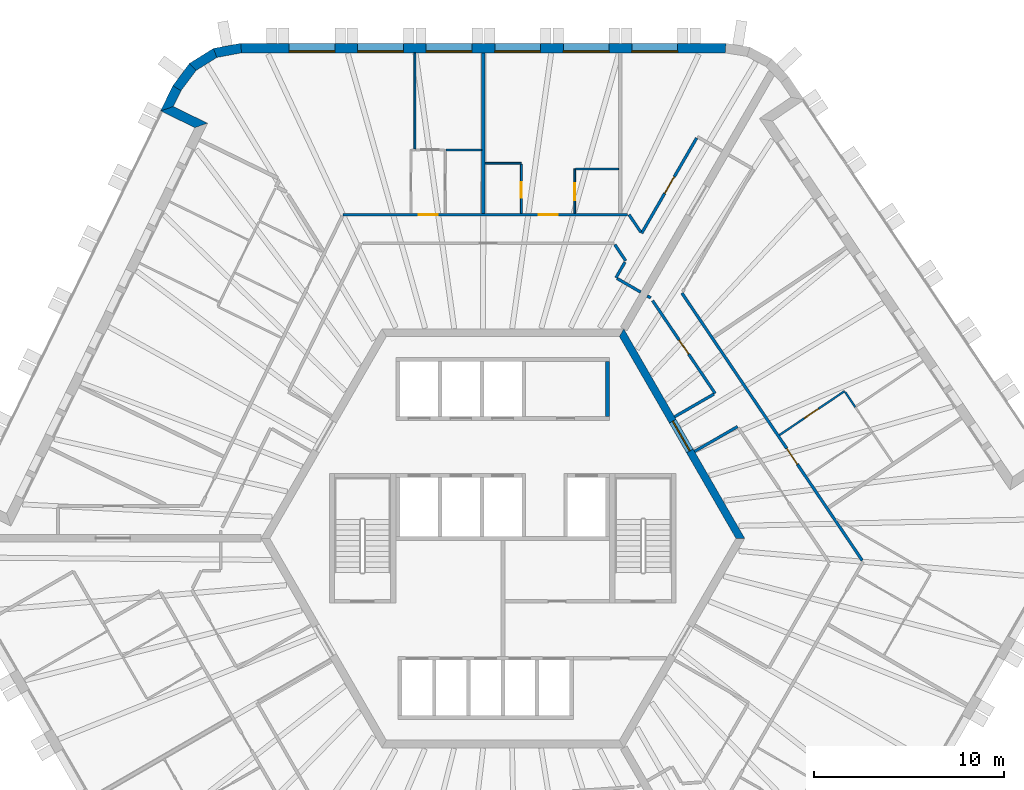
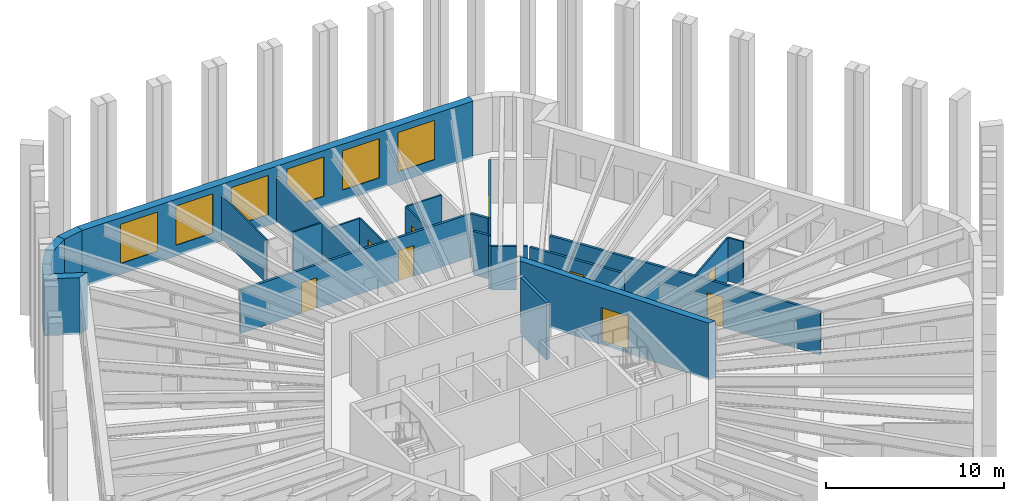
# One storey, part 9 of 12: 28 walls, 9 doors, 6 windows, 15 openings.
"""IFC4 building model written with IfcOpenShell, lengths in metres."""

from ifc_helpers import new_model, si_unit, direction, frame, frame_2d, origin, place, context, subcontext, project, spatial, polyline, rectangle, outline, extrude, material, layer, layer_set, type_object, element, fill, save


model = new_model("IFC4")

# Units and contexts
model_context = context("Model", 3, precision=1e-05, world=origin(), true_north=direction((0.0, 1.0)))
body_context = subcontext(model_context, "Body", "Model", "MODEL_VIEW")
ifc_project = project(units=[si_unit("LENGTHUNIT", "METRE"), si_unit("AREAUNIT", "SQUARE_METRE"), si_unit("VOLUMEUNIT", "CUBIC_METRE"), si_unit("PLANEANGLEUNIT", "RADIAN"), si_unit("MASSUNIT", "GRAM", prefix="KILO")], contexts=[model_context])

# Site, building, storey
site_placement = place(None, origin())
site = spatial("IfcSite", under=ifc_project, at=site_placement, CompositionType="ELEMENT")
building_placement = place(site_placement, origin())
building = spatial("IfcBuilding", under=site, at=building_placement, Name="Tarnside Tower", CompositionType="ELEMENT")
storey_placement = place(building_placement, frame((0.0, 0.0, 291.300048828125)))
storey = spatial("IfcBuildingStorey", under=building, at=storey_placement, Name="L70", CompositionType="ELEMENT", Elevation=291.300048828125)

# Wall
ifc_material_1 = material(Name="Gypsum board partition on steel studs", Category="steel")
ifc_layer_1 = layer(ifc_material_1, 0.10009765625)
ifc_layer_set_1 = layer_set([ifc_layer_1], Name="Bathroom wall 100")
wall_type_1 = type_object("IfcWallType", Name="Bathroom wall 100", PredefinedType="PARTITIONING", material=ifc_layer_set_1)
wall_1_placement = place(storey_placement, frame((-0.934814453125, 19.699951171875, 0.0), z_axis=(0.0, 0.0, 1.0), x_axis=(1.0, 0.0, 0.0)))
element("IfcWall", 1, at=wall_1_placement, inside=storey, type_object=wall_type_1, Name="Bathroom wall 23083", PredefinedType="PARTITIONING", context=body_context, shape_type="SweptSolid", body=[
    extrude(rectangle(XDim=1.909912109375, YDim=0.10009765625, at=frame_2d((0.955078125, 0.0))), origin(), (0.0, 0.0, 1.0), 2.98779296875),
])

# Wall, opening, door
wall_2_placement = place(storey_placement, frame((0.97509765625, 19.64990234375, 0.0), z_axis=(0.0, 0.0, 1.0), x_axis=(0.0, -1.0, 0.0)))
wall_2 = element("IfcWall", 2, at=wall_2_placement, inside=storey, type_object=wall_type_1, Name="Bathroom wall 23084", PredefinedType="PARTITIONING", context=body_context, shape_type="SweptSolid", body=[
    extrude(rectangle(XDim=2.574951171875, YDim=0.10009765625, at=frame_2d((1.28759765625, 0.0))), origin(), (0.0, 0.0, 1.0), 2.98779296875),
])
opening_1_placement = place(wall_2_placement, frame((0.949951171875, 0.0, 0.0)))
opening_1 = element("IfcOpeningElement", 3, at=opening_1_placement, cuts=wall_2, Name="Opening D-B1", PredefinedType="OPENING", context=body_context, shape_type="SweptSolid", body=[
    extrude(rectangle(XDim=0.800048828125, YDim=2.10009765625, at=frame_2d((0.39990234375, 1.050048828125))), frame((0.0, 0.06005859375, 0.0), z_axis=(0.0, -1.0, 0.0), x_axis=(1.0, 0.0, 0.0)), (0.0, 0.0, 1.0), 0.1201171875),
])
ifc_material_2 = material(Name="Timber door leaf", Category="wood")
door_type_1 = type_object("IfcDoorType", Name="Bathroom door 800", OperationType="NOTDEFINED", PredefinedType="DOOR", material=ifc_material_2)
door_1_placement = place(opening_1_placement, origin())
door_1 = element("IfcDoor", 4, at=door_1_placement, inside=storey, type_object=door_type_1, Name="Bathroom door 23003", OperationType="SINGLE_SWING_LEFT", OverallHeight=2.10009765625, OverallWidth=0.800048828125, PredefinedType="DOOR", context=body_context, shape_type="SweptSolid", body=[
    extrude(rectangle(XDim=0.800048828125, YDim=2.10009765625, at=frame_2d((0.39990234375, 1.050048828125))), frame((0.0, 0.02490234375, 0.0), z_axis=(0.0, -1.0, 0.0), x_axis=(1.0, 0.0, 0.0)), (0.0, 0.0, 1.0), 0.050048828125),
])
fill(opening_1, door_1)

# Wall
wall_3_placement = place(storey_placement, frame((-1.11474609375, 20.39990234375, 0.0), z_axis=(0.0, 0.0, 1.0), x_axis=(-1.0, 0.0, 0.0)))
element("IfcWall", 5, at=wall_3_placement, inside=storey, type_object=wall_type_1, Name="Bathroom wall 23099", PredefinedType="PARTITIONING", context=body_context, shape_type="SweptSolid", body=[
    extrude(rectangle(XDim=1.862060546875, YDim=0.10009765625, at=frame_2d((0.93115234375, 0.0))), origin(), (0.0, 0.0, 1.0), 2.98779296875),
])

# Wall, opening, door
ifc_material_3 = material(Name="Concrete C60/75", Category="concrete")
ifc_layer_2 = layer(ifc_material_3, 0.39990234375)
ifc_layer_set_2 = layer_set([ifc_layer_2], Name="Core wall Z3 400 C60/75")
wall_type_2 = type_object("IfcWallType", Name="Core wall Z3 400 C60/75", PredefinedType="SHEAR", material=ifc_layer_set_2)
wall_4_placement = place(storey_placement, frame((12.470703125, 0.0, -0.150146484375), z_axis=(0.0, 0.0, 1.0), x_axis=(-0.499996419489, 0.866027470984, 0.0)))
wall_4 = element("IfcWall", 6, at=wall_4_placement, inside=storey, type_object=wall_type_2, Name="L70 core wall face 6", PredefinedType="SHEAR", context=body_context, shape_type="SweptSolid", body=[
    extrude(outline(polyline([(-0.115478515625, -0.199951171875), (12.586181640625, -0.199951171875), (12.355224609375, 0.199951171875), (0.115478515625, 0.199951171875), (-0.115478515625, -0.199951171875)])), origin(), (0.0, 0.0, 1.0), 3.900146484375),
])
opening_2_placement = place(wall_4_placement, frame((5.306396484375, 0.0, 0.14990234375)))
opening_2 = element("IfcOpeningElement", 7, at=opening_2_placement, cuts=wall_4, Name="Opening CD-LOB", PredefinedType="OPENING", context=body_context, shape_type="SweptSolid", body=[
    extrude(rectangle(XDim=1.800048828125, YDim=2.39990234375, at=frame_2d((0.89990234375, 1.199951171875))), frame((0.0, 0.2099609375, 0.0), z_axis=(0.0, -1.0, 0.0), x_axis=(1.0, 0.0, 0.0)), (0.0, 0.0, 1.0), 0.419921875),
])
ifc_material_4 = material(Name="Steel fire door", Category="steel")
door_type_2 = type_object("IfcDoorType", Name="Lobby double door FD30S 1800x2400", OperationType="NOTDEFINED", PredefinedType="DOOR", material=ifc_material_4)
door_2_placement = place(opening_2_placement, origin())
door_2 = element("IfcDoor", 8, at=door_2_placement, inside=storey, type_object=door_type_2, Name="L70 core door P2", OperationType="DOUBLE_DOOR_SINGLE_SWING", OverallHeight=2.39990234375, OverallWidth=1.800048828125, PredefinedType="DOOR", context=body_context, shape_type="SweptSolid", body=[
    extrude(rectangle(XDim=1.800048828125, YDim=2.39990234375, at=frame_2d((0.89990234375, 1.199951171875))), frame((0.0, 0.02490234375, 0.0), z_axis=(0.0, -1.0, 0.0), x_axis=(1.0, 0.0, 0.0)), (0.0, 0.0, 1.0), 0.050048828125),
])
fill(opening_2, door_2)

ifc_layer_3 = layer(ifc_material_1, 0.14990234375)
ifc_layer_set_3 = layer_set([ifc_layer_3], Name="Corridor wall 150 EI 60")
wall_type_3 = type_object("IfcWallType", Name="Corridor wall 150 EI 60", PredefinedType="PARTITIONING", material=ifc_layer_set_3)
wall_5_placement = place(storey_placement, frame((10.17724609375, 21.02734375, 0.0), z_axis=(0.0, 0.0, 1.0), x_axis=(-0.500013707032, -0.866017489881, 0.0)))
wall_5 = element("IfcWall", 9, at=wall_5_placement, inside=storey, type_object=wall_type_3, Name="Corridor wall 23002", PredefinedType="PARTITIONING", context=body_context, shape_type="SweptSolid", body=[
    extrude(rectangle(XDim=5.780517578125, YDim=0.14990234375, at=frame_2d((2.89013671875, 0.0))), origin(), (0.0, 0.0, 1.0), 2.98779296875),
])
opening_3_placement = place(wall_5_placement, frame((2.352783203125, 0.0, 0.0)))
opening_3 = element("IfcOpeningElement", 10, at=opening_3_placement, cuts=wall_5, Name="Opening D-E1", PredefinedType="OPENING", context=body_context, shape_type="SweptSolid", body=[
    extrude(rectangle(XDim=1.0, YDim=2.10009765625, at=frame_2d((0.5, 1.050048828125))), frame((0.0, 0.0849609375, 0.0), z_axis=(0.0, -1.0, 0.0), x_axis=(1.0, 0.0, 0.0)), (0.0, 0.0, 1.0), 0.169921875),
])
door_type_3 = type_object("IfcDoorType", Name="Unit entrance door 1000 FD30S", OperationType="NOTDEFINED", PredefinedType="DOOR", material=ifc_material_2)
door_3_placement = place(opening_3_placement, origin())
door_3 = element("IfcDoor", 11, at=door_3_placement, inside=storey, type_object=door_type_3, Name="Unit door 23001", OperationType="SINGLE_SWING_RIGHT", OverallHeight=2.10009765625, OverallWidth=1.0, PredefinedType="DOOR", context=body_context, shape_type="SweptSolid", body=[
    extrude(rectangle(XDim=1.0, YDim=2.10009765625, at=frame_2d((0.5, 1.050048828125))), frame((0.0, 0.02490234375, 0.0), z_axis=(0.0, -1.0, 0.0), x_axis=(1.0, 0.0, 0.0)), (0.0, 0.0, 1.0), 0.050048828125),
])
fill(opening_3, door_3)

# Wall
wall_6_placement = place(storey_placement, frame((7.240234375, 16.09033203125, 0.0), z_axis=(0.0, 0.0, 1.0), x_axis=(-0.559159452146, 0.829060134777, 0.0)))
element("IfcWall", 12, at=wall_6_placement, inside=storey, type_object=wall_type_3, Name="Corridor wall 23003", PredefinedType="PARTITIONING", context=body_context, shape_type="SweptSolid", body=[
    extrude(rectangle(XDim=1.09716796875, YDim=0.14990234375, at=frame_2d((0.548583984375, 0.0))), origin(), (0.0, 0.0, 1.0), 2.98779296875),
])

# Wall, openings, doors
wall_7_placement = place(storey_placement, frame((6.5361328125, 17.0, 0.0), z_axis=(0.0, 0.0, 1.0), x_axis=(-1.0, 0.0, 0.0)))
wall_7 = element("IfcWall", 13, at=wall_7_placement, inside=storey, type_object=wall_type_3, Name="Corridor wall 23004", PredefinedType="PARTITIONING", context=body_context, shape_type="SweptSolid", body=[
    extrude(rectangle(XDim=14.93359375, YDim=0.14990234375, at=frame_2d((7.466796875, 0.0))), origin(), (0.0, 0.0, 1.0), 2.98779296875),
])
opening_4_placement = place(wall_7_placement, frame((3.660888671875, 0.0, 0.0)))
opening_4 = element("IfcOpeningElement", 14, at=opening_4_placement, cuts=wall_7, Name="Opening D-E1", PredefinedType="OPENING", context=body_context, shape_type="SweptSolid", body=[
    extrude(rectangle(XDim=1.0, YDim=2.10009765625, at=frame_2d((0.5, 1.050048828125))), frame((0.0, 0.0849609375, 0.0), z_axis=(0.0, -1.0, 0.0), x_axis=(1.0, 0.0, 0.0)), (0.0, 0.0, 1.0), 0.169921875),
])
opening_5_placement = place(wall_7_placement, frame((9.9609375, 0.0, 0.0)))
opening_5 = element("IfcOpeningElement", 15, at=opening_5_placement, cuts=wall_7, Name="Opening D-E1", PredefinedType="OPENING", context=body_context, shape_type="SweptSolid", body=[
    extrude(rectangle(XDim=1.0, YDim=2.10009765625, at=frame_2d((0.5, 1.050048828125))), frame((0.0, 0.0849609375, 0.0), z_axis=(0.0, -1.0, 0.0), x_axis=(1.0, 0.0, 0.0)), (0.0, 0.0, 1.0), 0.169921875),
])
door_4_placement = place(opening_4_placement, origin())
door_4 = element("IfcDoor", 16, at=door_4_placement, inside=storey, type_object=door_type_3, Name="Unit door 23002", OperationType="SINGLE_SWING_LEFT", OverallHeight=2.10009765625, OverallWidth=1.0, PredefinedType="DOOR", context=body_context, shape_type="SweptSolid", body=[
    extrude(rectangle(XDim=1.0, YDim=2.10009765625, at=frame_2d((0.5, 1.050048828125))), frame((0.0, 0.02490234375, 0.0), z_axis=(0.0, -1.0, 0.0), x_axis=(1.0, 0.0, 0.0)), (0.0, 0.0, 1.0), 0.050048828125),
])
fill(opening_4, door_4)
door_5_placement = place(opening_5_placement, origin())
door_5 = element("IfcDoor", 17, at=door_5_placement, inside=storey, type_object=door_type_3, Name="Unit door 23005", OperationType="SINGLE_SWING_RIGHT", OverallHeight=2.10009765625, OverallWidth=1.0, PredefinedType="DOOR", context=body_context, shape_type="SweptSolid", body=[
    extrude(rectangle(XDim=1.0, YDim=2.10009765625, at=frame_2d((0.5, 1.050048828125))), frame((0.0, 0.02490234375, 0.0), z_axis=(0.0, -1.0, 0.0), x_axis=(1.0, 0.0, 0.0)), (0.0, 0.0, 1.0), 0.050048828125),
])
fill(opening_5, door_5)

# Walls
wall_8_placement = place(storey_placement, frame((5.879638671875, 15.425048828125, 0.0), z_axis=(0.0, 0.0, 1.0), x_axis=(0.559202631314, -0.829031010959, 0.0)))
element("IfcWall", 18, at=wall_8_placement, inside=storey, type_object=wall_type_3, Name="Corridor wall 23022", PredefinedType="PARTITIONING", context=body_context, shape_type="SweptSolid", body=[
    extrude(rectangle(XDim=1.024169921875, YDim=0.14990234375, at=frame_2d((0.51220703125, 0.0))), origin(), (0.0, 0.0, 1.0), 2.98779296875),
])
wall_9_placement = place(storey_placement, frame((6.41064453125, 14.503662109375, 0.0), z_axis=(0.0, 0.0, 1.0), x_axis=(-0.499998034377, -0.866026538634, 0.0)))
element("IfcWall", 19, at=wall_9_placement, inside=storey, type_object=wall_type_3, Name="Corridor wall 23023", PredefinedType="PARTITIONING", context=body_context, shape_type="SweptSolid", body=[
    extrude(rectangle(XDim=0.94580078125, YDim=0.14990234375, at=frame_2d((0.472900390625, 0.0))), origin(), (0.0, 0.0, 1.0), 2.98779296875),
])
wall_10_placement = place(storey_placement, frame((6.002685546875, 13.647216796875, 0.0), z_axis=(0.0, 0.0, 1.0), x_axis=(0.865988727248, -0.500063520245, 0.0)))
element("IfcWall", 20, at=wall_10_placement, inside=storey, type_object=wall_type_3, Name="Corridor wall 23024", PredefinedType="PARTITIONING", context=body_context, shape_type="SweptSolid", body=[
    extrude(rectangle(XDim=1.425048828125, YDim=0.14990234375, at=frame_2d((0.71240234375, 0.0))), origin(), (0.0, 0.0, 1.0), 2.98779296875),
])

# Wall, opening, door
wall_11_placement = place(storey_placement, frame((18.87451171875, -1.158203125, 0.0), z_axis=(0.0, 0.0, 1.0), x_axis=(-0.55919880344, 0.829033592945, 0.0)))
wall_11 = element("IfcWall", 21, at=wall_11_placement, inside=storey, type_object=wall_type_3, Name="Corridor wall 23059", PredefinedType="PARTITIONING", context=body_context, shape_type="SweptSolid", body=[
    extrude(rectangle(XDim=16.939208984375, YDim=0.14990234375, at=frame_2d((8.4697265625, 0.0))), origin(), (0.0, 0.0, 1.0), 2.98779296875),
])
opening_6_placement = place(wall_11_placement, frame((6.090087890625, 0.0, 0.0)))
opening_6 = element("IfcOpeningElement", 22, at=opening_6_placement, cuts=wall_11, Name="Opening D-E1", PredefinedType="OPENING", context=body_context, shape_type="SweptSolid", body=[
    extrude(rectangle(XDim=1.0, YDim=2.10009765625, at=frame_2d((0.5, 1.050048828125))), frame((0.0, 0.0849609375, 0.0), z_axis=(0.0, -1.0, 0.0), x_axis=(1.0, 0.0, 0.0)), (0.0, 0.0, 1.0), 0.169921875),
])
door_6_placement = place(opening_6_placement, origin())
door_6 = element("IfcDoor", 23, at=door_6_placement, inside=storey, type_object=door_type_3, Name="Unit door 23051", OperationType="SINGLE_SWING_LEFT", OverallHeight=2.10009765625, OverallWidth=1.0, PredefinedType="DOOR", context=body_context, shape_type="SweptSolid", body=[
    extrude(rectangle(XDim=1.0, YDim=2.10009765625, at=frame_2d((0.5, 1.050048828125))), frame((0.0, 0.02490234375, 0.0), z_axis=(0.0, -1.0, 0.0), x_axis=(1.0, 0.0, 0.0)), (0.0, 0.0, 1.0), 0.050048828125),
])
fill(opening_6, door_6)

# Walls
wall_12_placement = place(storey_placement, frame((10.065673828125, 4.565673828125, 0.0), z_axis=(0.0, 0.0, 1.0), x_axis=(0.866034402474, 0.499984413489, 0.0)))
element("IfcWall", 24, at=wall_12_placement, inside=storey, type_object=wall_type_3, Name="Corridor wall 23069", PredefinedType="PARTITIONING", context=body_context, shape_type="SweptSolid", body=[
    extrude(rectangle(XDim=2.6083984375, YDim=0.14990234375, at=frame_2d((1.30419921875, 0.0))), origin(), (0.0, 0.0, 1.0), 2.98779296875),
])
wall_13_placement = place(storey_placement, frame((7.583251953125, 12.734619140625, 0.0), z_axis=(0.0, 0.0, 1.0), x_axis=(0.866088799389, -0.499890179513, 0.0)))
element("IfcWall", 25, at=wall_13_placement, inside=storey, type_object=wall_type_3, Name="Corridor wall 23078", PredefinedType="PARTITIONING", context=body_context, shape_type="SweptSolid", body=[
    extrude(rectangle(XDim=0.2099609375, YDim=0.14990234375, at=frame_2d((0.10498046875, 0.0))), origin(), (0.0, 0.0, 1.0), 2.98779296875),
])

# Wall, opening, door
wall_14_placement = place(storey_placement, frame((7.86083984375, 12.48779296875, 0.0), z_axis=(0.0, 0.0, 1.0), x_axis=(0.559178186788, -0.829047498893, 0.0)))
wall_14 = element("IfcWall", 26, at=wall_14_placement, inside=storey, type_object=wall_type_3, Name="Corridor wall 23079", PredefinedType="PARTITIONING", context=body_context, shape_type="SweptSolid", body=[
    extrude(rectangle(XDim=5.877685546875, YDim=0.14990234375, at=frame_2d((2.93896484375, 0.0))), origin(), (0.0, 0.0, 1.0), 2.98779296875),
])
opening_7_placement = place(wall_14_placement, frame((2.48876953125, 0.0, 0.0)))
opening_7 = element("IfcOpeningElement", 27, at=opening_7_placement, cuts=wall_14, Name="Opening D-S1", PredefinedType="OPENING", context=body_context, shape_type="SweptSolid", body=[
    extrude(rectangle(XDim=0.89990234375, YDim=2.10009765625, at=frame_2d((0.449951171875, 1.050048828125))), frame((0.0, 0.0849609375, 0.0), z_axis=(0.0, -1.0, 0.0), x_axis=(1.0, 0.0, 0.0)), (0.0, 0.0, 1.0), 0.169921875),
])
door_type_4 = type_object("IfcDoorType", Name="Service room door 900 FD30S", OperationType="NOTDEFINED", PredefinedType="DOOR", material=ifc_material_2)
door_7_placement = place(opening_7_placement, origin())
door_7 = element("IfcDoor", 28, at=door_7_placement, inside=storey, type_object=door_type_4, Name="Service door 23064", OperationType="SINGLE_SWING_RIGHT", OverallHeight=2.10009765625, OverallWidth=0.89990234375, PredefinedType="DOOR", context=body_context, shape_type="SweptSolid", body=[
    extrude(rectangle(XDim=0.89990234375, YDim=2.10009765625, at=frame_2d((0.449951171875, 1.050048828125))), frame((0.0, 0.02490234375, 0.0), z_axis=(0.0, -1.0, 0.0), x_axis=(1.0, 0.0, 0.0)), (0.0, 0.0, 1.0), 0.050048828125),
])
fill(opening_7, door_7)

# Walls
wall_15_placement = place(storey_placement, frame((11.082275390625, 7.57763671875, 0.0), z_axis=(0.0, 0.0, 1.0), x_axis=(-0.865993065409, -0.500056007527, 0.0)))
element("IfcWall", 29, at=wall_15_placement, inside=storey, type_object=wall_type_3, Name="Corridor wall 23080", PredefinedType="PARTITIONING", context=body_context, shape_type="SweptSolid", body=[
    extrude(rectangle(XDim=2.386474609375, YDim=0.14990234375, at=frame_2d((1.193359375, 0.0))), origin(), (0.0, 0.0, 1.0), 2.98779296875),
])
ifc_layer_4 = layer(ifc_material_1, 0.179931640625)
ifc_layer_set_4 = layer_set([ifc_layer_4], Name="Demising wall 180 EI 60")
wall_type_4 = type_object("IfcWallType", Name="Demising wall 180 EI 60", PredefinedType="PARTITIONING", material=ifc_layer_set_4)
wall_16_placement = place(storey_placement, frame((-1.02490234375, 25.5, 0.0), z_axis=(0.0, 0.0, 1.0), x_axis=(0.0, -1.0, 0.0)))
element("IfcWall", 30, at=wall_16_placement, inside=storey, type_object=wall_type_4, Name="Demising wall 23087", PredefinedType="PARTITIONING", context=body_context, shape_type="SweptSolid", body=[
    extrude(rectangle(XDim=8.425048828125, YDim=0.179931640625, at=frame_2d((4.21240234375, 0.0))), origin(), (0.0, 0.0, 1.0), 2.98779296875),
])
ifc_material_5 = material(Name="Concrete C40/50", Category="concrete")
ifc_layer_5 = layer(ifc_material_5, 0.199951171875)
ifc_layer_set_5 = layer_set([ifc_layer_5], Name="Lift shaft wall 200 C40/50")
wall_type_5 = type_object("IfcWallType", Name="Lift shaft wall 200 C40/50", PredefinedType="SHEAR", material=ifc_layer_set_5)
wall_17_placement = place(storey_placement, frame((5.5, 6.39990234375, -0.25), z_axis=(0.0, 0.0, 1.0), x_axis=(0.0, 1.0, 0.0)))
element("IfcWall", 31, at=wall_17_placement, inside=storey, type_object=wall_type_5, Name="L70 lift shaft partition R16", PredefinedType="SHEAR", context=body_context, shape_type="SweptSolid", body=[
    extrude(rectangle(XDim=2.900146484375, YDim=0.199951171875, at=frame_2d((1.4501953125, 0.0))), origin(), (0.0, 0.0, 1.0), 3.89990234375),
])
ifc_material_6 = material(Name="Dark zinc cladding")
ifc_layer_6 = layer(ifc_material_6, 0.10205078125)
ifc_material_7 = material(Name="Concrete C60/75 precast", Category="concrete")
ifc_layer_7 = layer(ifc_material_7, 0.298095703125)
ifc_material_8 = material(Name="Mineral wool insulation")
ifc_layer_8 = layer(ifc_material_8, 0.10009765625)
ifc_layer_set_6 = layer_set([ifc_layer_6, ifc_layer_7, ifc_layer_8], Name="Loggia wall 500 zinc faced")
wall_type_6 = type_object("IfcWallType", Name="Loggia wall 500 zinc faced", PredefinedType="SOLIDWALL", material=ifc_layer_set_6)
wall_18_placement = place(storey_placement, frame((-17.11767578125, 23.643798828125, -0.150146484375), z_axis=(0.0, 0.0, 1.0), x_axis=(-0.438319390103, -0.898819287877, 0.0)))
element("IfcWall", 32, at=wall_18_placement, inside=storey, type_object=wall_type_6, Name="Tube wall L70 F2 stub 04", PredefinedType="SOLIDWALL", context=body_context, shape_type="SweptSolid", body=[
    extrude(outline(polyline([(-0.0234375, -0.25), (1.44970703125, -0.25), (0.94970703125, 0.25), (0.0234375, 0.25), (-0.0234375, -0.25)])), origin(), (0.0, 0.0, 1.0), 3.900146484375),
])
wall_19_placement = place(storey_placement, frame((-17.6435546875, 22.5654296875, -0.150146484375), z_axis=(0.0, 0.0, 1.0), x_axis=(0.898754367686, -0.43845249066, 0.0)))
element("IfcWall", 33, at=wall_19_placement, inside=storey, type_object=wall_type_6, Name="Tube wall L70 F2 return 05", PredefinedType="SOLIDWALL", context=body_context, shape_type="SweptSolid", body=[
    extrude(outline(polyline([(-0.25, -0.25), (1.75, -0.25), (2.25, 0.25), (0.25, 0.25), (-0.25, -0.25)])), origin(), (0.0, 0.0, 1.0), 3.900146484375),
])

# Wall, opening, door
ifc_layer_9 = layer(ifc_material_1, 0.10009765625)
ifc_layer_set_7 = layer_set([ifc_layer_9], Name="Partition 100")
wall_type_7 = type_object("IfcWallType", Name="Partition 100", PredefinedType="PARTITIONING", material=ifc_layer_set_7)
wall_20_placement = place(storey_placement, frame((3.775146484375, 17.074951171875, 0.0), z_axis=(0.0, 0.0, 1.0), x_axis=(0.0, 1.0, 0.0)))
wall_20 = element("IfcWall", 34, at=wall_20_placement, inside=storey, type_object=wall_type_7, Name="Partition wall 23085", PredefinedType="PARTITIONING", context=body_context, shape_type="SweptSolid", body=[
    extrude(rectangle(XDim=2.324951171875, YDim=0.10009765625, at=frame_2d((1.16259765625, 0.0))), origin(), (0.0, 0.0, 1.0), 2.98779296875),
])
opening_8_placement = place(wall_20_placement, frame((0.675048828125, 0.0, 0.0)))
opening_8 = element("IfcOpeningElement", 35, at=opening_8_placement, cuts=wall_20, Name="Opening D-I1", PredefinedType="OPENING", context=body_context, shape_type="SweptSolid", body=[
    extrude(rectangle(XDim=0.89990234375, YDim=2.10009765625, at=frame_2d((0.449951171875, 1.050048828125))), frame((0.0, 0.06005859375, 0.0), z_axis=(0.0, -1.0, 0.0), x_axis=(1.0, 0.0, 0.0)), (0.0, 0.0, 1.0), 0.1201171875),
])
door_type_5 = type_object("IfcDoorType", Name="Internal door 900", OperationType="NOTDEFINED", PredefinedType="DOOR", material=ifc_material_2)
door_8_placement = place(opening_8_placement, origin())
door_8 = element("IfcDoor", 36, at=door_8_placement, inside=storey, type_object=door_type_5, Name="Internal door 23004", OperationType="SINGLE_SWING_RIGHT", OverallHeight=2.10009765625, OverallWidth=0.89990234375, PredefinedType="DOOR", context=body_context, shape_type="SweptSolid", body=[
    extrude(rectangle(XDim=0.89990234375, YDim=2.10009765625, at=frame_2d((0.449951171875, 1.050048828125))), frame((0.0, 0.02490234375, 0.0), z_axis=(0.0, -1.0, 0.0), x_axis=(1.0, 0.0, 0.0)), (0.0, 0.0, 1.0), 0.050048828125),
])
fill(opening_8, door_8)

# Walls
wall_21_placement = place(storey_placement, frame((3.8251953125, 19.39990234375, 0.0), z_axis=(0.0, 0.0, 1.0), x_axis=(1.0, 0.0, 0.0)))
element("IfcWall", 37, at=wall_21_placement, inside=storey, type_object=wall_type_7, Name="Partition wall 23086", PredefinedType="PARTITIONING", context=body_context, shape_type="SweptSolid", body=[
    extrude(rectangle(XDim=2.260009765625, YDim=0.10009765625, at=frame_2d((1.1298828125, 0.0))), origin(), (0.0, 0.0, 1.0), 2.98779296875),
])
wall_22_placement = place(storey_placement, frame((-4.624755859375, 20.449951171875, 0.0), z_axis=(0.0, 0.0, 1.0), x_axis=(0.0, 1.0, 0.0)))
element("IfcWall", 38, at=wall_22_placement, inside=storey, type_object=wall_type_7, Name="Partition wall 23092", PredefinedType="PARTITIONING", context=body_context, shape_type="SweptSolid", body=[
    extrude(rectangle(XDim=5.050048828125, YDim=0.10009765625, at=frame_2d((2.52490234375, 0.0))), origin(), (0.0, 0.0, 1.0), 2.98779296875),
])

# Wall, opening, door
wall_23_placement = place(storey_placement, frame((14.524658203125, 5.4248046875, 0.0), z_axis=(0.0, 0.0, 1.0), x_axis=(0.829033204172, 0.559199379811, 0.0)))
wall_23 = element("IfcWall", 39, at=wall_23_placement, inside=storey, type_object=wall_type_7, Name="Partition wall 23157", PredefinedType="PARTITIONING", context=body_context, shape_type="SweptSolid", body=[
    extrude(rectangle(XDim=4.125, YDim=0.10009765625, at=frame_2d((2.0625, 0.0))), origin(), (0.0, 0.0, 1.0), 2.98779296875),
])
opening_9_placement = place(wall_23_placement, frame((1.574951171875, 0.0, 0.0)))
opening_9 = element("IfcOpeningElement", 40, at=opening_9_placement, cuts=wall_23, Name="Opening D-I1", PredefinedType="OPENING", context=body_context, shape_type="SweptSolid", body=[
    extrude(rectangle(XDim=0.89990234375, YDim=2.10009765625, at=frame_2d((0.449951171875, 1.050048828125))), frame((0.0, 0.06005859375, 0.0), z_axis=(0.0, -1.0, 0.0), x_axis=(1.0, 0.0, 0.0)), (0.0, 0.0, 1.0), 0.1201171875),
])
door_9_placement = place(opening_9_placement, origin())
door_9 = element("IfcDoor", 41, at=door_9_placement, inside=storey, type_object=door_type_5, Name="Internal door 23053", OperationType="SINGLE_SWING_RIGHT", OverallHeight=2.10009765625, OverallWidth=0.89990234375, PredefinedType="DOOR", context=body_context, shape_type="SweptSolid", body=[
    extrude(rectangle(XDim=0.89990234375, YDim=2.10009765625, at=frame_2d((0.449951171875, 1.050048828125))), frame((0.0, 0.02490234375, 0.0), z_axis=(0.0, -1.0, 0.0), x_axis=(1.0, 0.0, 0.0)), (0.0, 0.0, 1.0), 0.050048828125),
])
fill(opening_9, door_9)

# Wall
wall_24_placement = place(storey_placement, frame((17.972412109375, 7.68994140625, 0.0), z_axis=(0.0, 0.0, 1.0), x_axis=(0.55919087136, -0.829038943227, 0.0)))
element("IfcWall", 42, at=wall_24_placement, inside=storey, type_object=wall_type_7, Name="Partition wall 23158", PredefinedType="PARTITIONING", context=body_context, shape_type="SweptSolid", body=[
    extrude(rectangle(XDim=0.95166015625, YDim=0.10009765625, at=frame_2d((0.475830078125, 0.0))), origin(), (0.0, 0.0, 1.0), 2.98779296875),
])

# Wall, openings, windows
ifc_material_9 = material(Name="Facing brick", Category="masonry")
ifc_layer_10 = layer(ifc_material_9, 0.10205078125)
ifc_layer_11 = layer(ifc_material_7, 0.298095703125)
ifc_layer_12 = layer(ifc_material_8, 0.10009765625)
ifc_layer_set_8 = layer_set([ifc_layer_10, ifc_layer_11, ifc_layer_12], Name="Tube wall 500 brick faced")
wall_type_8 = type_object("IfcWallType", Name="Tube wall 500 brick faced", PredefinedType="SOLIDWALL", material=ifc_layer_set_8)
wall_25_placement = place(storey_placement, frame((11.697509765625, 25.75, -0.150146484375), z_axis=(0.0, 0.0, 1.0), x_axis=(-1.0, 0.0, 0.0)))
wall_25 = element("IfcWall", 43, at=wall_25_placement, inside=storey, type_object=wall_type_8, Name="Tube wall L70 F1 flush 00", PredefinedType="SOLIDWALL", context=body_context, shape_type="SweptSolid", body=[
    extrude(outline(polyline([(-0.0205078125, -0.25), (25.468017578125, -0.25), (25.421142578125, 0.25), (0.0205078125, 0.25), (-0.0205078125, -0.25)])), origin(), (0.0, 0.0, 1.0), 3.900146484375),
])
opening_10_placement = place(wall_25_placement, frame((2.5224609375, 0.0, 0.75)))
opening_10 = element("IfcOpeningElement", 44, at=opening_10_placement, cuts=wall_25, Name="Opening WR", PredefinedType="OPENING", context=body_context, shape_type="SweptSolid", body=[
    extrude(rectangle(XDim=2.39990234375, YDim=2.699951171875, at=frame_2d((1.199951171875, 1.35009765625))), frame((0.0, 0.260009765625, 0.0), z_axis=(0.0, -1.0, 0.0), x_axis=(1.0, 0.0, 0.0)), (0.0, 0.0, 1.0), 0.52001953125),
])
opening_11_placement = place(wall_25_placement, frame((6.122314453125, 0.0, 0.75)))
opening_11 = element("IfcOpeningElement", 45, at=opening_11_placement, cuts=wall_25, Name="Opening WR", PredefinedType="OPENING", context=body_context, shape_type="SweptSolid", body=[
    extrude(rectangle(XDim=2.39990234375, YDim=2.699951171875, at=frame_2d((1.199951171875, 1.35009765625))), frame((0.0, 0.260009765625, 0.0), z_axis=(0.0, -1.0, 0.0), x_axis=(1.0, 0.0, 0.0)), (0.0, 0.0, 1.0), 0.52001953125),
])
opening_12_placement = place(wall_25_placement, frame((9.722412109375, 0.0, 0.75)))
opening_12 = element("IfcOpeningElement", 46, at=opening_12_placement, cuts=wall_25, Name="Opening WR", PredefinedType="OPENING", context=body_context, shape_type="SweptSolid", body=[
    extrude(rectangle(XDim=2.39990234375, YDim=2.699951171875, at=frame_2d((1.199951171875, 1.35009765625))), frame((0.0, 0.260009765625, 0.0), z_axis=(0.0, -1.0, 0.0), x_axis=(1.0, 0.0, 0.0)), (0.0, 0.0, 1.0), 0.52001953125),
])
opening_13_placement = place(wall_25_placement, frame((13.322509765625, 0.0, 0.75)))
opening_13 = element("IfcOpeningElement", 47, at=opening_13_placement, cuts=wall_25, Name="Opening WR", PredefinedType="OPENING", context=body_context, shape_type="SweptSolid", body=[
    extrude(rectangle(XDim=2.39990234375, YDim=2.699951171875, at=frame_2d((1.199951171875, 1.35009765625))), frame((0.0, 0.260009765625, 0.0), z_axis=(0.0, -1.0, 0.0), x_axis=(1.0, 0.0, 0.0)), (0.0, 0.0, 1.0), 0.52001953125),
])
opening_14_placement = place(wall_25_placement, frame((16.92236328125, 0.0, 0.75)))
opening_14 = element("IfcOpeningElement", 48, at=opening_14_placement, cuts=wall_25, Name="Opening WR", PredefinedType="OPENING", context=body_context, shape_type="SweptSolid", body=[
    extrude(rectangle(XDim=2.39990234375, YDim=2.699951171875, at=frame_2d((1.199951171875, 1.35009765625))), frame((0.0, 0.260009765625, 0.0), z_axis=(0.0, -1.0, 0.0), x_axis=(1.0, 0.0, 0.0)), (0.0, 0.0, 1.0), 0.52001953125),
])
opening_15_placement = place(wall_25_placement, frame((20.5224609375, 0.0, 0.75)))
opening_15 = element("IfcOpeningElement", 49, at=opening_15_placement, cuts=wall_25, Name="Opening WR", PredefinedType="OPENING", context=body_context, shape_type="SweptSolid", body=[
    extrude(rectangle(XDim=2.39990234375, YDim=2.699951171875, at=frame_2d((1.199951171875, 1.35009765625))), frame((0.0, 0.260009765625, 0.0), z_axis=(0.0, -1.0, 0.0), x_axis=(1.0, 0.0, 0.0)), (0.0, 0.0, 1.0), 0.52001953125),
])
ifc_material_10 = material(Name="Aluminium-framed double glazing", Category="aluminium")
window_type = type_object("IfcWindowType", Name="Residence window 2400 x 2700", PartitioningType="DOUBLE_PANEL_VERTICAL", PredefinedType="WINDOW", material=ifc_material_10)
window_1_placement = place(opening_10_placement, frame((0.0, 0.179931640625, 0.0)))
window_1 = element("IfcWindow", 50, at=window_1_placement, inside=storey, type_object=window_type, Name="E.WN.L70.F1.00", OverallHeight=2.699951171875, OverallWidth=2.39990234375, PartitioningType="DOUBLE_PANEL_VERTICAL", PredefinedType="WINDOW", context=body_context, shape_type="SweptSolid", body=[
    extrude(rectangle(XDim=2.39990234375, YDim=2.699951171875, at=frame_2d((1.199951171875, 1.35009765625))), frame((0.0, 0.030029296875, 0.0), z_axis=(0.0, -1.0, 0.0), x_axis=(1.0, 0.0, 0.0)), (0.0, 0.0, 1.0), 0.06005859375),
])
fill(opening_10, window_1)
window_2_placement = place(opening_11_placement, frame((0.0, 0.179931640625, 0.0)))
window_2 = element("IfcWindow", 51, at=window_2_placement, inside=storey, type_object=window_type, Name="E.WN.L70.F1.01", OverallHeight=2.699951171875, OverallWidth=2.39990234375, PartitioningType="DOUBLE_PANEL_VERTICAL", PredefinedType="WINDOW", context=body_context, shape_type="SweptSolid", body=[
    extrude(rectangle(XDim=2.39990234375, YDim=2.699951171875, at=frame_2d((1.199951171875, 1.35009765625))), frame((0.0, 0.030029296875, 0.0), z_axis=(0.0, -1.0, 0.0), x_axis=(1.0, 0.0, 0.0)), (0.0, 0.0, 1.0), 0.06005859375),
])
fill(opening_11, window_2)
window_3_placement = place(opening_12_placement, frame((0.0, 0.179931640625, 0.0)))
window_3 = element("IfcWindow", 52, at=window_3_placement, inside=storey, type_object=window_type, Name="E.WN.L70.F1.02", OverallHeight=2.699951171875, OverallWidth=2.39990234375, PartitioningType="DOUBLE_PANEL_VERTICAL", PredefinedType="WINDOW", context=body_context, shape_type="SweptSolid", body=[
    extrude(rectangle(XDim=2.39990234375, YDim=2.699951171875, at=frame_2d((1.199951171875, 1.35009765625))), frame((0.0, 0.030029296875, 0.0), z_axis=(0.0, -1.0, 0.0), x_axis=(1.0, 0.0, 0.0)), (0.0, 0.0, 1.0), 0.06005859375),
])
fill(opening_12, window_3)
window_4_placement = place(opening_13_placement, frame((0.0, 0.179931640625, 0.0)))
window_4 = element("IfcWindow", 53, at=window_4_placement, inside=storey, type_object=window_type, Name="E.WN.L70.F1.03", OverallHeight=2.699951171875, OverallWidth=2.39990234375, PartitioningType="DOUBLE_PANEL_VERTICAL", PredefinedType="WINDOW", context=body_context, shape_type="SweptSolid", body=[
    extrude(rectangle(XDim=2.39990234375, YDim=2.699951171875, at=frame_2d((1.199951171875, 1.35009765625))), frame((0.0, 0.030029296875, 0.0), z_axis=(0.0, -1.0, 0.0), x_axis=(1.0, 0.0, 0.0)), (0.0, 0.0, 1.0), 0.06005859375),
])
fill(opening_13, window_4)
window_5_placement = place(opening_14_placement, frame((0.0, 0.179931640625, 0.0)))
window_5 = element("IfcWindow", 54, at=window_5_placement, inside=storey, type_object=window_type, Name="E.WN.L70.F1.04", OverallHeight=2.699951171875, OverallWidth=2.39990234375, PartitioningType="DOUBLE_PANEL_VERTICAL", PredefinedType="WINDOW", context=body_context, shape_type="SweptSolid", body=[
    extrude(rectangle(XDim=2.39990234375, YDim=2.699951171875, at=frame_2d((1.199951171875, 1.35009765625))), frame((0.0, 0.030029296875, 0.0), z_axis=(0.0, -1.0, 0.0), x_axis=(1.0, 0.0, 0.0)), (0.0, 0.0, 1.0), 0.06005859375),
])
fill(opening_14, window_5)
window_6_placement = place(opening_15_placement, frame((0.0, 0.179931640625, 0.0)))
window_6 = element("IfcWindow", 55, at=window_6_placement, inside=storey, type_object=window_type, Name="E.WN.L70.F1.05", OverallHeight=2.699951171875, OverallWidth=2.39990234375, PartitioningType="DOUBLE_PANEL_VERTICAL", PredefinedType="WINDOW", context=body_context, shape_type="SweptSolid", body=[
    extrude(rectangle(XDim=2.39990234375, YDim=2.699951171875, at=frame_2d((1.199951171875, 1.35009765625))), frame((0.0, 0.030029296875, 0.0), z_axis=(0.0, -1.0, 0.0), x_axis=(1.0, 0.0, 0.0)), (0.0, 0.0, 1.0), 0.06005859375),
])
fill(opening_15, window_6)

# Walls
wall_26_placement = place(storey_placement, frame((-13.7470703125, 25.75, -0.150146484375), z_axis=(0.0, 0.0, 1.0), x_axis=(-0.982736538448, -0.185010529429, 0.0)))
element("IfcWall", 56, at=wall_26_placement, inside=storey, type_object=wall_type_8, Name="Tube wall L70 F1 chord 01", PredefinedType="SOLIDWALL", context=body_context, shape_type="SweptSolid", body=[
    extrude(outline(polyline([(-0.0234375, -0.25), (1.435302734375, -0.25), (1.341064453125, 0.25), (0.0234375, 0.25), (-0.0234375, -0.25)])), origin(), (0.0, 0.0, 1.0), 3.900146484375),
])
wall_27_placement = place(storey_placement, frame((-15.111328125, 25.4931640625, -0.150146484375), z_axis=(0.0, 0.0, 1.0), x_axis=(-0.847978544293, -0.530030554231, 0.0)))
element("IfcWall", 57, at=wall_27_placement, inside=storey, type_object=wall_type_8, Name="Tube wall L70 F1 chord 02", PredefinedType="SOLIDWALL", context=body_context, shape_type="SweptSolid", body=[
    extrude(outline(polyline([(-0.047119140625, -0.25), (1.435302734375, -0.25), (1.341064453125, 0.25), (0.047119140625, 0.25), (-0.047119140625, -0.25)])), origin(), (0.0, 0.0, 1.0), 3.900146484375),
])
wall_28_placement = place(storey_placement, frame((-16.28857421875, 24.75732421875, -0.150146484375), z_axis=(0.0, 0.0, 1.0), x_axis=(-0.597210785942, -0.802084332945, 0.0)))
element("IfcWall", 58, at=wall_28_placement, inside=storey, type_object=wall_type_8, Name="Tube wall L70 F1 chord 03", PredefinedType="SOLIDWALL", context=body_context, shape_type="SweptSolid", body=[
    extrude(outline(polyline([(-0.047119140625, -0.25), (1.41162109375, -0.25), (1.36474609375, 0.25), (0.047119140625, 0.25), (-0.047119140625, -0.25)])), origin(), (0.0, 0.0, 1.0), 3.900146484375),
])

save(model, "model.ifc")
